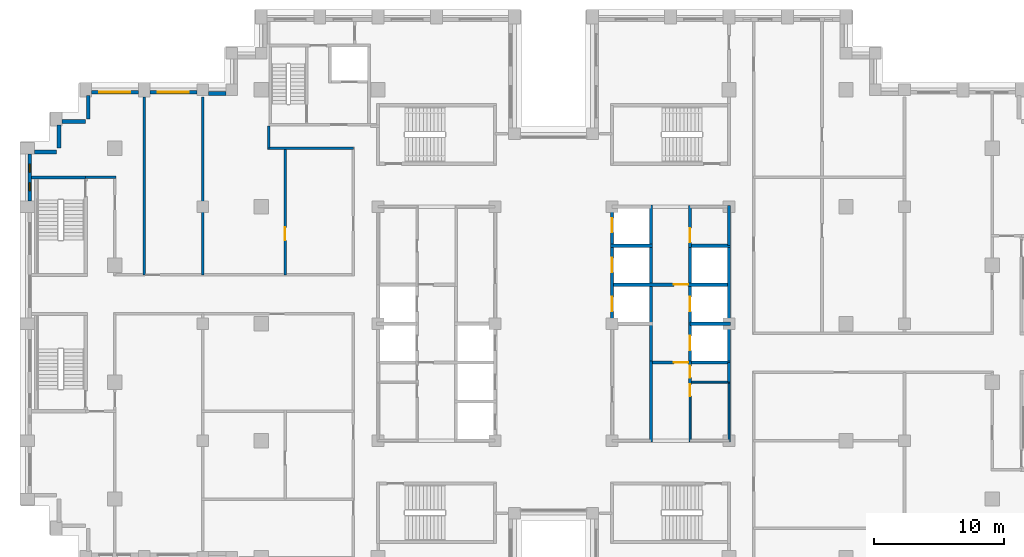
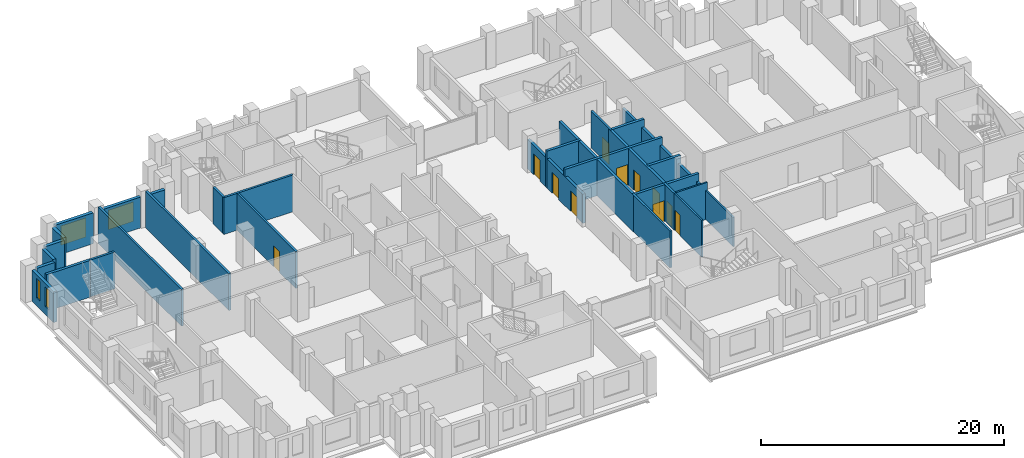
# One storey, part 9 of 15: 32 walls, 11 doors, 4 windows, 15 openings.
"""IFC4 building model written with IfcOpenShell, lengths in metres."""

from ifc_helpers import new_model, si_unit, direction, frame, frame_2d, origin, place, context, subcontext, project, spatial, rectangle, extrude, material, layer, layer_set, type_object, element, fill, save


model = new_model("IFC4")

# Units and contexts
model_context = context("Model", 3, precision=1e-05, world=origin(), true_north=direction((0.0, 1.0)))
body_context = subcontext(model_context, "Body", "Model", "MODEL_VIEW")
ifc_project = project(units=[si_unit("LENGTHUNIT", "METRE"), si_unit("AREAUNIT", "SQUARE_METRE"), si_unit("VOLUMEUNIT", "CUBIC_METRE"), si_unit("PLANEANGLEUNIT", "RADIAN"), si_unit("MASSUNIT", "GRAM", prefix="KILO")], contexts=[model_context])

# Site, building, storey
site_placement = place(None, origin())
site = spatial("IfcSite", under=ifc_project, at=site_placement, CompositionType="ELEMENT")
building_placement = place(site_placement, origin())
building = spatial("IfcBuilding", under=site, at=building_placement, Name="Corbelhall Arena Tower", CompositionType="ELEMENT")
storey_placement = place(building_placement, frame((0.0, 0.0, 162.0)))
storey = spatial("IfcBuildingStorey", under=building, at=storey_placement, Name="L32", CompositionType="ELEMENT", Elevation=162.0)

# Walls
ifc_material_1 = material(Name="Precast concrete C40/50 with granite facing", Category="masonry")
ifc_layer_1 = layer(ifc_material_1, 0.300048828125)
ifc_layer_set_1 = layer_set([ifc_layer_1], Name="EV-IW1 Infill panel 300")
wall_type_1 = type_object("IfcWallType", Name="EV-IW1 Infill panel 300", PredefinedType="SOLIDWALL", material=ifc_layer_set_1)
for number, where, z_axis, x_axis, name in (
    (1, (-35.800048828125, 17.550048828125, 0.0), (0.0, 0.0, 1.0), (0.0, -1.0, 0.0), "Infill panel IW1"),
    (2, (-37.800048828125, 15.550048828125, 0.0), (0.0, 0.0, 1.0), (1.0, 0.0, 0.0), "Infill panel IW1"),
    (3, (-38.050048828125, 15.300048828125, 0.0), (0.0, 0.0, 1.0), (0.0, -1.0, 0.0), "Infill panel IW1"),
):
    element("IfcWall", number, at=place(storey_placement, frame(where, z_axis=z_axis, x_axis=x_axis)), inside=storey, type_object=wall_type_1, Name=name, PredefinedType="SOLIDWALL", context=body_context, shape_type="SweptSolid", body=[
        extrude(rectangle(XDim=1.800048828125, YDim=0.300048828125, at=frame_2d((0.89990234375, 0.0))), origin(), (0.0, 0.0, 1.0), 3.10009765625),
    ])
wall_1_placement = place(storey_placement, frame((-39.949951171875, 13.199951171875, 0.0), z_axis=(0.0, 0.0, 1.0), x_axis=(1.0, 0.0, 0.0)))
element("IfcWall", 4, at=wall_1_placement, inside=storey, type_object=wall_type_1, Name="Infill panel IW1", PredefinedType="SOLIDWALL", context=body_context, shape_type="SweptSolid", body=[
    extrude(rectangle(XDim=1.699951171875, YDim=0.300048828125, at=frame_2d((0.85009765625, 0.0))), origin(), (0.0, 0.0, 1.0), 3.10009765625),
])
wall_2_placement = place(storey_placement, frame((-25.199951171875, 17.699951171875, 0.0), z_axis=(0.0, 0.0, 1.0), x_axis=(-1.0, 0.0, 0.0)))
element("IfcWall", 5, at=wall_2_placement, inside=storey, type_object=wall_type_1, Name="Infill panel IW1", PredefinedType="SOLIDWALL", context=body_context, shape_type="SweptSolid", body=[
    extrude(rectangle(XDim=1.35009765625, YDim=0.300048828125, at=frame_2d((0.675048828125, 0.0))), origin(), (0.0, 0.0, 1.0), 3.10009765625),
])

# Wall, opening, window
wall_3_placement = place(storey_placement, frame((-27.449951171875, 17.800048828125, 0.0), z_axis=(0.0, 0.0, 1.0), x_axis=(-1.0, 0.0, 0.0)))
wall_3 = element("IfcWall", 6, at=wall_3_placement, inside=storey, type_object=wall_type_1, Name="Infill panel IW1", PredefinedType="SOLIDWALL", context=body_context, shape_type="SweptSolid", body=[
    extrude(rectangle(XDim=3.60009765625, YDim=0.300048828125, at=frame_2d((1.800048828125, 0.0))), origin(), (0.0, 0.0, 1.0), 3.10009765625),
])
opening_1_placement = place(wall_3_placement, frame((0.60009765625, 0.0, 0.800048828125)))
opening_1 = element("IfcOpeningElement", 7, at=opening_1_placement, cuts=wall_3, Name="Opening WN1", PredefinedType="OPENING", context=body_context, shape_type="SweptSolid", body=[
    extrude(rectangle(XDim=2.39990234375, YDim=1.949951171875, at=frame_2d((1.199951171875, 0.97509765625))), frame((0.0, 0.14990234375, 0.0), z_axis=(0.0, -1.0, 0.0), x_axis=(1.0, 0.0, 0.0)), (0.0, 0.0, 1.0), 0.300048828125),
])
ifc_material_2 = material(Name="Aluminium black anodised", Category="aluminium")
window_type_1 = type_object("IfcWindowType", Name="EV-WN1 Office window", PartitioningType="SINGLE_PANEL", PredefinedType="WINDOW", material=ifc_material_2)
window_1_placement = place(opening_1_placement, origin())
window_1 = element("IfcWindow", 8, at=window_1_placement, inside=storey, type_object=window_type_1, Name="Window WN1", OverallHeight=1.949951171875, OverallWidth=2.39990234375, PartitioningType="SINGLE_PANEL", PredefinedType="WINDOW", context=body_context, shape_type="SweptSolid", body=[
    extrude(rectangle(XDim=2.39990234375, YDim=1.949951171875, at=frame_2d((1.199951171875, 0.97509765625))), frame((0.0, 0.030029296875, 0.0), z_axis=(0.0, -1.0, 0.0), x_axis=(1.0, 0.0, 0.0)), (0.0, 0.0, 1.0), 0.06005859375),
])
fill(opening_1, window_1)

wall_4_placement = place(storey_placement, frame((-31.949951171875, 17.800048828125, 0.0), z_axis=(0.0, 0.0, 1.0), x_axis=(-1.0, 0.0, 0.0)))
wall_4 = element("IfcWall", 9, at=wall_4_placement, inside=storey, type_object=wall_type_1, Name="Infill panel IW1", PredefinedType="SOLIDWALL", context=body_context, shape_type="SweptSolid", body=[
    extrude(rectangle(XDim=3.60009765625, YDim=0.300048828125, at=frame_2d((1.800048828125, 0.0))), origin(), (0.0, 0.0, 1.0), 3.10009765625),
])
opening_2_placement = place(wall_4_placement, frame((0.60009765625, 0.0, 0.800048828125)))
opening_2 = element("IfcOpeningElement", 10, at=opening_2_placement, cuts=wall_4, Name="Opening WN1", PredefinedType="OPENING", context=body_context, shape_type="SweptSolid", body=[
    extrude(rectangle(XDim=2.39990234375, YDim=1.949951171875, at=frame_2d((1.199951171875, 0.97509765625))), frame((0.0, 0.14990234375, 0.0), z_axis=(0.0, -1.0, 0.0), x_axis=(1.0, 0.0, 0.0)), (0.0, 0.0, 1.0), 0.300048828125),
])
window_2_placement = place(opening_2_placement, origin())
window_2 = element("IfcWindow", 11, at=window_2_placement, inside=storey, type_object=window_type_1, Name="Window WN1", OverallHeight=1.949951171875, OverallWidth=2.39990234375, PartitioningType="SINGLE_PANEL", PredefinedType="WINDOW", context=body_context, shape_type="SweptSolid", body=[
    extrude(rectangle(XDim=2.39990234375, YDim=1.949951171875, at=frame_2d((1.199951171875, 0.97509765625))), frame((0.0, 0.030029296875, 0.0), z_axis=(0.0, -1.0, 0.0), x_axis=(1.0, 0.0, 0.0)), (0.0, 0.0, 1.0), 0.06005859375),
])
fill(opening_2, window_2)

# Wall, openings, windows
wall_5_placement = place(storey_placement, frame((-40.300048828125, 13.050048828125, 0.0), z_axis=(0.0, 0.0, 1.0), x_axis=(0.0, -1.0, 0.0)))
wall_5 = element("IfcWall", 12, at=wall_5_placement, inside=storey, type_object=wall_type_1, Name="Infill panel IW1", PredefinedType="SOLIDWALL", context=body_context, shape_type="SweptSolid", body=[
    extrude(rectangle(XDim=3.60009765625, YDim=0.300048828125, at=frame_2d((1.800048828125, 0.0))), origin(), (0.0, 0.0, 1.0), 3.10009765625),
])
opening_3_placement = place(wall_5_placement, frame((0.78759765625, 0.0, 0.800048828125)))
opening_3 = element("IfcOpeningElement", 13, at=opening_3_placement, cuts=wall_5, Name="Opening WN5", PredefinedType="OPENING", context=body_context, shape_type="SweptSolid", body=[
    extrude(rectangle(XDim=0.60009765625, YDim=1.949951171875, at=frame_2d((0.300048828125, 0.97509765625))), frame((0.0, 0.14990234375, 0.0), z_axis=(0.0, -1.0, 0.0), x_axis=(1.0, 0.0, 0.0)), (0.0, 0.0, 1.0), 0.300048828125),
])
opening_4_placement = place(wall_5_placement, frame((2.21240234375, 0.0, 0.800048828125)))
opening_4 = element("IfcOpeningElement", 14, at=opening_4_placement, cuts=wall_5, Name="Opening WN5", PredefinedType="OPENING", context=body_context, shape_type="SweptSolid", body=[
    extrude(rectangle(XDim=0.60009765625, YDim=1.949951171875, at=frame_2d((0.300048828125, 0.97509765625))), frame((0.0, 0.14990234375, 0.0), z_axis=(0.0, -1.0, 0.0), x_axis=(1.0, 0.0, 0.0)), (0.0, 0.0, 1.0), 0.300048828125),
])
window_type_2 = type_object("IfcWindowType", Name="EV-WN5 Office window 600", PartitioningType="SINGLE_PANEL", PredefinedType="WINDOW", material=ifc_material_2)
window_3_placement = place(opening_3_placement, origin())
window_3 = element("IfcWindow", 15, at=window_3_placement, inside=storey, type_object=window_type_2, Name="Window WN5", OverallHeight=1.949951171875, OverallWidth=0.60009765625, PartitioningType="SINGLE_PANEL", PredefinedType="WINDOW", context=body_context, shape_type="SweptSolid", body=[
    extrude(rectangle(XDim=0.60009765625, YDim=1.949951171875, at=frame_2d((0.300048828125, 0.97509765625))), frame((0.0, 0.030029296875, 0.0), z_axis=(0.0, -1.0, 0.0), x_axis=(1.0, 0.0, 0.0)), (0.0, 0.0, 1.0), 0.06005859375),
])
fill(opening_3, window_3)
window_4_placement = place(opening_4_placement, origin())
window_4 = element("IfcWindow", 16, at=window_4_placement, inside=storey, type_object=window_type_2, Name="Window WN5", OverallHeight=1.949951171875, OverallWidth=0.60009765625, PartitioningType="SINGLE_PANEL", PredefinedType="WINDOW", context=body_context, shape_type="SweptSolid", body=[
    extrude(rectangle(XDim=0.60009765625, YDim=1.949951171875, at=frame_2d((0.300048828125, 0.97509765625))), frame((0.0, 0.030029296875, 0.0), z_axis=(0.0, -1.0, 0.0), x_axis=(1.0, 0.0, 0.0)), (0.0, 0.0, 1.0), 0.06005859375),
])
fill(opening_4, window_4)

# Walls
ifc_material_3 = material(Name="Gypsum board on steel stud, acoustic", Category="steel")
ifc_layer_2 = layer(ifc_material_3, 0.199951171875)
ifc_layer_set_2 = layer_set([ifc_layer_2], Name="IN-W-DM200")
wall_type_2 = type_object("IfcWallType", Name="IN-W-DM200", PredefinedType="PARTITIONING", material=ifc_layer_set_2)
wall_6_placement = place(storey_placement, frame((-36.0, 11.25, 0.0), z_axis=(0.0, 0.0, 1.0), x_axis=(1.0, 0.0, 0.0)))
element("IfcWall", 17, at=wall_6_placement, inside=storey, type_object=wall_type_2, Name="Partition 001", PredefinedType="PARTITIONING", context=body_context, shape_type="SweptSolid", body=[
    extrude(rectangle(XDim=2.35009765625, YDim=0.199951171875, at=frame_2d((1.175048828125, 0.0))), origin(), (0.0, 0.0, 1.0), 3.699951171875),
])
for number, where, z_axis, x_axis, name in (
    (18, (-31.5, 17.449951171875, 0.0), (0.0, 0.0, 1.0), (0.0, -1.0, 0.0), "Partition 006"),
    (19, (-27.0, 3.75, 0.0), (0.0, 0.0, 1.0), (0.0, 1.0, 0.0), "Partition 010"),
):
    element("IfcWall", number, at=place(storey_placement, frame(where, z_axis=z_axis, x_axis=x_axis)), inside=storey, type_object=wall_type_2, Name=name, PredefinedType="PARTITIONING", context=body_context, shape_type="SweptSolid", body=[
        extrude(rectangle(XDim=13.699951171875, YDim=0.199951171875, at=frame_2d((6.85009765625, 0.0))), origin(), (0.0, 0.0, 1.0), 3.699951171875),
    ])
wall_7_placement = place(storey_placement, frame((-21.89990234375, 13.5, 0.0), z_axis=(0.0, 0.0, 1.0), x_axis=(0.0, 1.0, 0.0)))
element("IfcWall", 20, at=wall_7_placement, inside=storey, type_object=wall_type_2, Name="Partition 013", PredefinedType="PARTITIONING", context=body_context, shape_type="SweptSolid", body=[
    extrude(rectangle(XDim=1.699951171875, YDim=0.199951171875, at=frame_2d((0.85009765625, 0.0))), origin(), (0.0, 0.0, 1.0), 3.699951171875),
])

# Wall, opening, door
wall_8_placement = place(storey_placement, frame((-20.64990234375, 3.75, 0.0), z_axis=(0.0, 0.0, 1.0), x_axis=(0.0, 1.0, 0.0)))
wall_8 = element("IfcWall", 21, at=wall_8_placement, inside=storey, type_object=wall_type_2, Name="Partition 016", PredefinedType="PARTITIONING", context=body_context, shape_type="SweptSolid", body=[
    extrude(rectangle(XDim=9.75, YDim=0.199951171875, at=frame_2d((4.875, 0.0))), origin(), (0.0, 0.0, 1.0), 3.699951171875),
])
opening_5_placement = place(wall_8_placement, frame((2.64990234375, 0.0, 0.0)))
opening_5 = element("IfcOpeningElement", 22, at=opening_5_placement, cuts=wall_8, Name="Opening 09025", PredefinedType="OPENING", context=body_context, shape_type="SweptSolid", body=[
    extrude(rectangle(XDim=1.0, YDim=2.10009765625, at=frame_2d((0.5, 1.050048828125))), frame((0.0, 0.10009765625, 0.0), z_axis=(0.0, -1.0, 0.0), x_axis=(1.0, 0.0, 0.0)), (0.0, 0.0, 1.0), 0.199951171875),
])
ifc_material_4 = material(Name="Steel door set", Category="steel")
door_type_1 = type_object("IfcDoorType", Name="IN-D-SW100", OperationType="NOTDEFINED", PredefinedType="DOOR", material=ifc_material_4)
door_1_placement = place(opening_5_placement, origin())
door_1 = element("IfcDoor", 23, at=door_1_placement, inside=storey, type_object=door_type_1, Name="Door 025", OperationType="SINGLE_SWING_RIGHT", OverallHeight=2.10009765625, OverallWidth=1.0, PredefinedType="DOOR", context=body_context, shape_type="SweptSolid", body=[
    extrude(rectangle(XDim=1.0, YDim=2.10009765625, at=frame_2d((0.5, 1.050048828125))), frame((0.0, 0.02490234375, 0.0), z_axis=(0.0, -1.0, 0.0), x_axis=(1.0, 0.0, 0.0)), (0.0, 0.0, 1.0), 0.050048828125),
])
fill(opening_5, door_1)

# Walls
wall_9_placement = place(storey_placement, frame((-15.39990234375, 13.5, 0.0), z_axis=(0.0, 0.0, 1.0), x_axis=(-1.0, 0.0, 0.0)))
element("IfcWall", 24, at=wall_9_placement, inside=storey, type_object=wall_type_2, Name="Partition 017", PredefinedType="PARTITIONING", context=body_context, shape_type="SweptSolid", body=[
    extrude(rectangle(XDim=6.60009765625, YDim=0.199951171875, at=frame_2d((3.300048828125, 0.0))), origin(), (0.0, 0.0, 1.0), 3.699951171875),
])
ifc_material_5 = material(Name="Concrete block wall", Category="concrete")
ifc_layer_3 = layer(ifc_material_5, 0.199951171875)
ifc_layer_set_3 = layer_set([ifc_layer_3], Name="IN-W-RS200")
wall_type_3 = type_object("IfcWallType", Name="IN-W-RS200", PredefinedType="SOLIDWALL", material=ifc_layer_set_3)
wall_10_placement = place(storey_placement, frame((7.5, -2.875, 0.0), z_axis=(0.0, 0.0, 1.0), x_axis=(0.0, -1.0, 0.0)))
element("IfcWall", 25, at=wall_10_placement, inside=storey, type_object=wall_type_3, Name="Partition 051", PredefinedType="SOLIDWALL", context=body_context, shape_type="SweptSolid", body=[
    extrude(rectangle(XDim=6.22509765625, YDim=0.199951171875, at=frame_2d((3.112548828125, 0.0))), origin(), (0.0, 0.0, 1.0), 3.699951171875),
])

# Wall, opening, door
wall_11_placement = place(storey_placement, frame((10.5, -2.875, 0.0), z_axis=(0.0, 0.0, 1.0), x_axis=(0.0, -1.0, 0.0)))
wall_11 = element("IfcWall", 26, at=wall_11_placement, inside=storey, type_object=wall_type_3, Name="Partition 052", PredefinedType="SOLIDWALL", context=body_context, shape_type="SweptSolid", body=[
    extrude(rectangle(XDim=1.699951171875, YDim=0.199951171875, at=frame_2d((0.85009765625, 0.0))), origin(), (0.0, 0.0, 1.0), 3.699951171875),
])
opening_6_placement = place(wall_11_placement, frame((0.3701171875, 0.0, 0.0)))
opening_6 = element("IfcOpeningElement", 27, at=opening_6_placement, cuts=wall_11, Name="Opening 09046", PredefinedType="OPENING", context=body_context, shape_type="SweptSolid", body=[
    extrude(rectangle(XDim=0.89990234375, YDim=2.10009765625, at=frame_2d((0.449951171875, 1.050048828125))), frame((0.0, 0.10009765625, 0.0), z_axis=(0.0, -1.0, 0.0), x_axis=(1.0, 0.0, 0.0)), (0.0, 0.0, 1.0), 0.199951171875),
])
ifc_material_6 = material(Name="Timber door set", Category="wood")
door_type_2 = type_object("IfcDoorType", Name="IN-D-SW90", OperationType="NOTDEFINED", PredefinedType="DOOR", material=ifc_material_6)
door_2_placement = place(opening_6_placement, origin())
door_2 = element("IfcDoor", 28, at=door_2_placement, inside=storey, type_object=door_type_2, Name="Door 046", OperationType="SINGLE_SWING_LEFT", OverallHeight=2.10009765625, OverallWidth=0.89990234375, PredefinedType="DOOR", context=body_context, shape_type="SweptSolid", body=[
    extrude(rectangle(XDim=0.89990234375, YDim=2.10009765625, at=frame_2d((0.449951171875, 1.050048828125))), frame((0.0, 0.02490234375, 0.0), z_axis=(0.0, -1.0, 0.0), x_axis=(1.0, 0.0, 0.0)), (0.0, 0.0, 1.0), 0.050048828125),
])
fill(opening_6, door_2)

wall_12_placement = place(storey_placement, frame((10.5, 9.10009765625, 0.0), z_axis=(0.0, 0.0, 1.0), x_axis=(0.0, -1.0, 0.0)))
wall_12 = element("IfcWall", 29, at=wall_12_placement, inside=storey, type_object=wall_type_3, Name="Partition 054", PredefinedType="SOLIDWALL", context=body_context, shape_type="SweptSolid", body=[
    extrude(rectangle(XDim=3.22509765625, YDim=0.199951171875, at=frame_2d((1.612548828125, 0.0))), origin(), (0.0, 0.0, 1.0), 3.699951171875),
])
opening_7_placement = place(wall_12_placement, frame((1.75, 0.0, 0.0)))
opening_7 = element("IfcOpeningElement", 30, at=opening_7_placement, cuts=wall_12, Name="Opening 09011", PredefinedType="OPENING", context=body_context, shape_type="SweptSolid", body=[
    extrude(rectangle(XDim=1.10009765625, YDim=2.10009765625, at=frame_2d((0.550048828125, 1.050048828125))), frame((0.0, 0.10009765625, 0.0), z_axis=(0.0, -1.0, 0.0), x_axis=(1.0, 0.0, 0.0)), (0.0, 0.0, 1.0), 0.199951171875),
])
door_type_3 = type_object("IfcDoorType", Name="IN-D-FD110", OperationType="NOTDEFINED", PredefinedType="DOOR", material=ifc_material_4)
door_3_placement = place(opening_7_placement, origin())
door_3 = element("IfcDoor", 31, at=door_3_placement, inside=storey, type_object=door_type_3, Name="Door 011", OperationType="SINGLE_SWING_RIGHT", OverallHeight=2.10009765625, OverallWidth=1.10009765625, PredefinedType="DOOR", context=body_context, shape_type="SweptSolid", body=[
    extrude(rectangle(XDim=1.10009765625, YDim=2.10009765625, at=frame_2d((0.550048828125, 1.050048828125))), frame((0.0, 0.02490234375, 0.0), z_axis=(0.0, -1.0, 0.0), x_axis=(1.0, 0.0, 0.0)), (0.0, 0.0, 1.0), 0.050048828125),
])
fill(opening_7, door_3)

# Walls
ifc_layer_4 = layer(ifc_material_5, 0.199951171875)
ifc_layer_set_4 = layer_set([ifc_layer_4], Name="IN-W-RS200 under beam 762 mm")
wall_type_4 = type_object("IfcWallType", Name="IN-W-RS200 under beam 762 mm", PredefinedType="SOLIDWALL", material=ifc_layer_set_4)
wall_13_placement = place(storey_placement, frame((13.5, -3.0, 0.0), z_axis=(0.0, 0.0, 1.0), x_axis=(0.0, -1.0, 0.0)))
element("IfcWall", 32, at=wall_13_placement, inside=storey, type_object=wall_type_4, Name="Partition 055", PredefinedType="SOLIDWALL", context=body_context, shape_type="SweptSolid", body=[
    extrude(rectangle(XDim=1.5, YDim=0.199951171875, at=frame_2d((0.75, 0.0))), origin(), (0.0, 0.0, 1.0), 2.93798828125),
])
wall_14_placement = place(storey_placement, frame((13.5, 9.10009765625, 0.0), z_axis=(0.0, 0.0, 1.0), x_axis=(0.0, -1.0, 0.0)))
element("IfcWall", 33, at=wall_14_placement, inside=storey, type_object=wall_type_4, Name="Partition 056", PredefinedType="SOLIDWALL", context=body_context, shape_type="SweptSolid", body=[
    extrude(rectangle(XDim=3.10009765625, YDim=0.199951171875, at=frame_2d((1.550048828125, 0.0))), origin(), (0.0, 0.0, 1.0), 2.93798828125),
])

# Wall, opening, door
ifc_material_7 = material(Name="Concrete C40/50", Category="concrete")
ifc_layer_5 = layer(ifc_material_7, 0.25)
ifc_layer_set_5 = layer_set([ifc_layer_5], Name="IN-W-SH250")
wall_type_5 = type_object("IfcWallType", Name="IN-W-SH250", PredefinedType="SOLIDWALL", material=ifc_layer_set_5)
wall_15_placement = place(storey_placement, frame((4.375, 3.0, 0.0), z_axis=(0.0, 0.0, 1.0), x_axis=(1.0, 0.0, 0.0)))
wall_15 = element("IfcWall", 34, at=wall_15_placement, inside=storey, type_object=wall_type_5, Name="Shaft wall 068", PredefinedType="SOLIDWALL", context=body_context, shape_type="SweptSolid", body=[
    extrude(rectangle(XDim=9.25, YDim=0.25, at=frame_2d((4.625, 0.0))), origin(), (0.0, 0.0, 1.0), 3.699951171875),
])
opening_8_placement = place(wall_15_placement, frame((4.875, 0.0, 0.0)))
opening_8 = element("IfcOpeningElement", 35, at=opening_8_placement, cuts=wall_15, Name="Opening 09009", PredefinedType="OPENING", context=body_context, shape_type="SweptSolid", body=[
    extrude(rectangle(XDim=1.10009765625, YDim=2.10009765625, at=frame_2d((0.550048828125, 1.050048828125))), frame((0.0, 0.125, 0.0), z_axis=(0.0, -1.0, 0.0), x_axis=(1.0, 0.0, 0.0)), (0.0, 0.0, 1.0), 0.25),
])
door_4_placement = place(opening_8_placement, origin())
door_4 = element("IfcDoor", 36, at=door_4_placement, inside=storey, type_object=door_type_3, Name="Door 009", OperationType="SINGLE_SWING_RIGHT", OverallHeight=2.10009765625, OverallWidth=1.10009765625, PredefinedType="DOOR", context=body_context, shape_type="SweptSolid", body=[
    extrude(rectangle(XDim=1.10009765625, YDim=2.10009765625, at=frame_2d((0.550048828125, 1.050048828125))), frame((0.0, 0.02490234375, 0.0), z_axis=(0.0, -1.0, 0.0), x_axis=(1.0, 0.0, 0.0)), (0.0, 0.0, 1.0), 0.050048828125),
])
fill(opening_8, door_4)

# Wall
wall_16_placement = place(storey_placement, frame((4.375, 6.0, 0.0), z_axis=(0.0, 0.0, 1.0), x_axis=(1.0, 0.0, 0.0)))
element("IfcWall", 37, at=wall_16_placement, inside=storey, type_object=wall_type_5, Name="Shaft wall 069", PredefinedType="SOLIDWALL", context=body_context, shape_type="SweptSolid", body=[
    extrude(rectangle(XDim=3.25, YDim=0.25, at=frame_2d((1.625, 0.0))), origin(), (0.0, 0.0, 1.0), 3.699951171875),
])

# Wall, opening, door
wall_17_placement = place(storey_placement, frame((7.5, -3.0, 0.0), z_axis=(0.0, 0.0, 1.0), x_axis=(1.0, 0.0, 0.0)))
wall_17 = element("IfcWall", 38, at=wall_17_placement, inside=storey, type_object=wall_type_5, Name="Shaft wall 072", PredefinedType="SOLIDWALL", context=body_context, shape_type="SweptSolid", body=[
    extrude(rectangle(XDim=6.125, YDim=0.25, at=frame_2d((3.0625, 0.0))), origin(), (0.0, 0.0, 1.0), 3.699951171875),
])
opening_9_placement = place(wall_17_placement, frame((1.75, 0.0, 0.0)))
opening_9 = element("IfcOpeningElement", 39, at=opening_9_placement, cuts=wall_17, Name="Opening 09008", PredefinedType="OPENING", context=body_context, shape_type="SweptSolid", body=[
    extrude(rectangle(XDim=1.10009765625, YDim=2.10009765625, at=frame_2d((0.550048828125, 1.050048828125))), frame((0.0, 0.125, 0.0), z_axis=(0.0, -1.0, 0.0), x_axis=(1.0, 0.0, 0.0)), (0.0, 0.0, 1.0), 0.25),
])
door_5_placement = place(opening_9_placement, origin())
door_5 = element("IfcDoor", 40, at=door_5_placement, inside=storey, type_object=door_type_3, Name="Door 008", OperationType="SINGLE_SWING_LEFT", OverallHeight=2.10009765625, OverallWidth=1.10009765625, PredefinedType="DOOR", context=body_context, shape_type="SweptSolid", body=[
    extrude(rectangle(XDim=1.10009765625, YDim=2.10009765625, at=frame_2d((0.550048828125, 1.050048828125))), frame((0.0, 0.02490234375, 0.0), z_axis=(0.0, -1.0, 0.0), x_axis=(1.0, 0.0, 0.0)), (0.0, 0.0, 1.0), 0.050048828125),
])
fill(opening_9, door_5)

# Walls
wall_18_placement = place(storey_placement, frame((7.5, 9.125, 0.0), z_axis=(0.0, 0.0, 1.0), x_axis=(0.0, -1.0, 0.0)))
element("IfcWall", 41, at=wall_18_placement, inside=storey, type_object=wall_type_5, Name="Shaft wall 073", PredefinedType="SOLIDWALL", context=body_context, shape_type="SweptSolid", body=[
    extrude(rectangle(XDim=12.25, YDim=0.25, at=frame_2d((6.125, 0.0))), origin(), (0.0, 0.0, 1.0), 3.699951171875),
])
wall_19_placement = place(storey_placement, frame((10.5, 0.0, 0.0), z_axis=(0.0, 0.0, 1.0), x_axis=(1.0, 0.0, 0.0)))
element("IfcWall", 42, at=wall_19_placement, inside=storey, type_object=wall_type_5, Name="Shaft wall 074", PredefinedType="SOLIDWALL", context=body_context, shape_type="SweptSolid", body=[
    extrude(rectangle(XDim=3.125, YDim=0.25, at=frame_2d((1.5625, 0.0))), origin(), (0.0, 0.0, 1.0), 3.699951171875),
])

# Wall, openings, doors
wall_20_placement = place(storey_placement, frame((10.5, 6.125, 0.0), z_axis=(0.0, 0.0, 1.0), x_axis=(0.0, -1.0, 0.0)))
wall_20 = element("IfcWall", 43, at=wall_20_placement, inside=storey, type_object=wall_type_5, Name="Shaft wall 075", PredefinedType="SOLIDWALL", context=body_context, shape_type="SweptSolid", body=[
    extrude(rectangle(XDim=9.25, YDim=0.25, at=frame_2d((4.625, 0.0))), origin(), (0.0, 0.0, 1.0), 3.699951171875),
])
opening_10_placement = place(wall_20_placement, frame((7.074951171875, 0.0, 0.0)))
opening_10 = element("IfcOpeningElement", 44, at=opening_10_placement, cuts=wall_20, Name="Opening LD", PredefinedType="OPENING", context=body_context, shape_type="SweptSolid", body=[
    extrude(rectangle(XDim=1.10009765625, YDim=2.10009765625, at=frame_2d((0.550048828125, 1.050048828125))), frame((0.0, 0.125, 0.0), z_axis=(0.0, -1.0, 0.0), x_axis=(1.0, 0.0, 0.0)), (0.0, 0.0, 1.0), 0.25),
])
opening_11_placement = place(wall_20_placement, frame((4.074951171875, 0.0, 0.0)))
opening_11 = element("IfcOpeningElement", 45, at=opening_11_placement, cuts=wall_20, Name="Opening LD", PredefinedType="OPENING", context=body_context, shape_type="SweptSolid", body=[
    extrude(rectangle(XDim=1.10009765625, YDim=2.10009765625, at=frame_2d((0.550048828125, 1.050048828125))), frame((0.0, 0.125, 0.0), z_axis=(0.0, -1.0, 0.0), x_axis=(1.0, 0.0, 0.0)), (0.0, 0.0, 1.0), 0.25),
])
door_type_4 = type_object("IfcDoorType", Name="IN-D-LD110", OperationType="NOTDEFINED", PredefinedType="DOOR", material=ifc_material_4)
door_6_placement = place(opening_10_placement, origin())
door_6 = element("IfcDoor", 46, at=door_6_placement, inside=storey, type_object=door_type_4, Name="Landing door E3", OperationType="SLIDING_TO_LEFT", OverallHeight=2.10009765625, OverallWidth=1.10009765625, PredefinedType="DOOR", context=body_context, shape_type="SweptSolid", body=[
    extrude(rectangle(XDim=1.10009765625, YDim=2.10009765625, at=frame_2d((0.550048828125, 1.050048828125))), frame((0.0, 0.02490234375, 0.0), z_axis=(0.0, -1.0, 0.0), x_axis=(1.0, 0.0, 0.0)), (0.0, 0.0, 1.0), 0.050048828125),
])
fill(opening_10, door_6)
door_7_placement = place(opening_11_placement, origin())
door_7 = element("IfcDoor", 47, at=door_7_placement, inside=storey, type_object=door_type_4, Name="Landing door E4", OperationType="SLIDING_TO_LEFT", OverallHeight=2.10009765625, OverallWidth=1.10009765625, PredefinedType="DOOR", context=body_context, shape_type="SweptSolid", body=[
    extrude(rectangle(XDim=1.10009765625, YDim=2.10009765625, at=frame_2d((0.550048828125, 1.050048828125))), frame((0.0, 0.02490234375, 0.0), z_axis=(0.0, -1.0, 0.0), x_axis=(1.0, 0.0, 0.0)), (0.0, 0.0, 1.0), 0.050048828125),
])
fill(opening_11, door_7)

# Wall
wall_21_placement = place(storey_placement, frame((10.5, 6.0, 0.0), z_axis=(0.0, 0.0, 1.0), x_axis=(1.0, 0.0, 0.0)))
element("IfcWall", 48, at=wall_21_placement, inside=storey, type_object=wall_type_5, Name="Shaft wall 076", PredefinedType="SOLIDWALL", context=body_context, shape_type="SweptSolid", body=[
    extrude(rectangle(XDim=3.125, YDim=0.25, at=frame_2d((1.5625, 0.0))), origin(), (0.0, 0.0, 1.0), 3.699951171875),
])

# Wall, openings, doors
ifc_layer_6 = layer(ifc_material_7, 0.25)
ifc_layer_set_6 = layer_set([ifc_layer_6], Name="IN-W-SH250 under beam 762 mm")
wall_type_6 = type_object("IfcWallType", Name="IN-W-SH250 under beam 762 mm", PredefinedType="SOLIDWALL", material=ifc_layer_set_6)
wall_22_placement = place(storey_placement, frame((4.5, 0.0, 0.0), z_axis=(0.0, 0.0, 1.0), x_axis=(0.0, 1.0, 0.0)))
wall_22 = element("IfcWall", 49, at=wall_22_placement, inside=storey, type_object=wall_type_6, Name="Shaft wall 070", PredefinedType="SOLIDWALL", context=body_context, shape_type="SweptSolid", body=[
    extrude(rectangle(XDim=9.125, YDim=0.25, at=frame_2d((4.5625, 0.0))), origin(), (0.0, 0.0, 1.0), 2.93798828125),
])
opening_12_placement = place(wall_22_placement, frame((0.949951171875, 0.0, 0.0)))
opening_12 = element("IfcOpeningElement", 50, at=opening_12_placement, cuts=wall_22, Name="Opening LD", PredefinedType="OPENING", context=body_context, shape_type="SweptSolid", body=[
    extrude(rectangle(XDim=1.10009765625, YDim=2.10009765625, at=frame_2d((0.550048828125, 1.050048828125))), frame((0.0, 0.125, 0.0), z_axis=(0.0, -1.0, 0.0), x_axis=(1.0, 0.0, 0.0)), (0.0, 0.0, 1.0), 0.25),
])
opening_13_placement = place(wall_22_placement, frame((3.949951171875, 0.0, 0.0)))
opening_13 = element("IfcOpeningElement", 51, at=opening_13_placement, cuts=wall_22, Name="Opening LD", PredefinedType="OPENING", context=body_context, shape_type="SweptSolid", body=[
    extrude(rectangle(XDim=1.10009765625, YDim=2.10009765625, at=frame_2d((0.550048828125, 1.050048828125))), frame((0.0, 0.125, 0.0), z_axis=(0.0, -1.0, 0.0), x_axis=(1.0, 0.0, 0.0)), (0.0, 0.0, 1.0), 0.25),
])
opening_14_placement = place(wall_22_placement, frame((7.012451171875, 0.0, 0.0)))
opening_14 = element("IfcOpeningElement", 52, at=opening_14_placement, cuts=wall_22, Name="Opening LD", PredefinedType="OPENING", context=body_context, shape_type="SweptSolid", body=[
    extrude(rectangle(XDim=1.10009765625, YDim=2.10009765625, at=frame_2d((0.550048828125, 1.050048828125))), frame((0.0, 0.125, 0.0), z_axis=(0.0, -1.0, 0.0), x_axis=(1.0, 0.0, 0.0)), (0.0, 0.0, 1.0), 0.25),
])
door_8_placement = place(opening_12_placement, origin())
door_8 = element("IfcDoor", 53, at=door_8_placement, inside=storey, type_object=door_type_4, Name="Landing door E4", OperationType="SLIDING_TO_LEFT", OverallHeight=2.10009765625, OverallWidth=1.10009765625, PredefinedType="DOOR", context=body_context, shape_type="SweptSolid", body=[
    extrude(rectangle(XDim=1.10009765625, YDim=2.10009765625, at=frame_2d((0.550048828125, 1.050048828125))), frame((0.0, 0.02490234375, 0.0), z_axis=(0.0, -1.0, 0.0), x_axis=(1.0, 0.0, 0.0)), (0.0, 0.0, 1.0), 0.050048828125),
])
fill(opening_12, door_8)
door_9_placement = place(opening_13_placement, origin())
door_9 = element("IfcDoor", 54, at=door_9_placement, inside=storey, type_object=door_type_4, Name="Landing door E5", OperationType="SLIDING_TO_LEFT", OverallHeight=2.10009765625, OverallWidth=1.10009765625, PredefinedType="DOOR", context=body_context, shape_type="SweptSolid", body=[
    extrude(rectangle(XDim=1.10009765625, YDim=2.10009765625, at=frame_2d((0.550048828125, 1.050048828125))), frame((0.0, 0.02490234375, 0.0), z_axis=(0.0, -1.0, 0.0), x_axis=(1.0, 0.0, 0.0)), (0.0, 0.0, 1.0), 0.050048828125),
])
fill(opening_13, door_9)
door_10_placement = place(opening_14_placement, origin())
door_10 = element("IfcDoor", 55, at=door_10_placement, inside=storey, type_object=door_type_4, Name="Landing door E6", OperationType="SLIDING_TO_LEFT", OverallHeight=2.10009765625, OverallWidth=1.10009765625, PredefinedType="DOOR", context=body_context, shape_type="SweptSolid", body=[
    extrude(rectangle(XDim=1.10009765625, YDim=2.10009765625, at=frame_2d((0.550048828125, 1.050048828125))), frame((0.0, 0.02490234375, 0.0), z_axis=(0.0, -1.0, 0.0), x_axis=(1.0, 0.0, 0.0)), (0.0, 0.0, 1.0), 0.050048828125),
])
fill(opening_14, door_10)

# Walls
wall_23_placement = place(storey_placement, frame((13.5, 6.0, 0.0), z_axis=(0.0, 0.0, 1.0), x_axis=(0.0, -1.0, 0.0)))
element("IfcWall", 56, at=wall_23_placement, inside=storey, type_object=wall_type_6, Name="Shaft wall 077", PredefinedType="SOLIDWALL", context=body_context, shape_type="SweptSolid", body=[
    extrude(rectangle(XDim=9.0, YDim=0.25, at=frame_2d((4.5, 0.0))), origin(), (0.0, 0.0, 1.0), 2.93798828125),
])
ifc_layer_7 = layer(ifc_material_7, 0.25)
ifc_layer_set_7 = layer_set([ifc_layer_7], Name="IN-W-ST250")
wall_type_7 = type_object("IfcWallType", Name="IN-W-ST250", PredefinedType="SOLIDWALL", material=ifc_layer_set_7)
wall_24_placement = place(storey_placement, frame((-40.14990234375, 11.25, 0.0), z_axis=(0.0, 0.0, 1.0), x_axis=(1.0, 0.0, 0.0)))
element("IfcWall", 57, at=wall_24_placement, inside=storey, type_object=wall_type_7, Name="Shaft wall 079", PredefinedType="SOLIDWALL", context=body_context, shape_type="SweptSolid", body=[
    extrude(rectangle(XDim=4.14990234375, YDim=0.25, at=frame_2d((2.074951171875, 0.0))), origin(), (0.0, 0.0, 1.0), 3.699951171875),
])
ifc_material_8 = material(Name="Gypsum board on steel stud, moisture resistant", Category="steel")
ifc_layer_8 = layer(ifc_material_8, 0.14990234375)
ifc_layer_set_8 = layer_set([ifc_layer_8], Name="IN-W-WC150")
wall_type_8 = type_object("IfcWallType", Name="IN-W-WC150", PredefinedType="PARTITIONING", material=ifc_layer_set_8)
wall_25_placement = place(storey_placement, frame((10.5, -4.5, 0.0), z_axis=(0.0, 0.0, 1.0), x_axis=(1.0, 0.0, 0.0)))
element("IfcWall", 58, at=wall_25_placement, inside=storey, type_object=wall_type_8, Name="Partition 113", PredefinedType="PARTITIONING", context=body_context, shape_type="SweptSolid", body=[
    extrude(rectangle(XDim=3.10009765625, YDim=0.14990234375, at=frame_2d((1.550048828125, 0.0))), origin(), (0.0, 0.0, 1.0), 3.699951171875),
])

# Wall, opening, door
wall_26_placement = place(storey_placement, frame((10.5, -4.425048828125, 0.0), z_axis=(0.0, 0.0, 1.0), x_axis=(0.0, -1.0, 0.0)))
wall_26 = element("IfcWall", 59, at=wall_26_placement, inside=storey, type_object=wall_type_8, Name="Partition 114", PredefinedType="PARTITIONING", context=body_context, shape_type="SweptSolid", body=[
    extrude(rectangle(XDim=4.64990234375, YDim=0.14990234375, at=frame_2d((2.324951171875, 0.0))), origin(), (0.0, 0.0, 1.0), 3.699951171875),
])
opening_15_placement = place(wall_26_placement, frame((0.25, 0.0, 0.0)))
opening_15 = element("IfcOpeningElement", 60, at=opening_15_placement, cuts=wall_26, Name="Opening 09010", PredefinedType="OPENING", context=body_context, shape_type="SweptSolid", body=[
    extrude(rectangle(XDim=0.89990234375, YDim=2.10009765625, at=frame_2d((0.449951171875, 1.050048828125))), frame((0.0, 0.074951171875, 0.0), z_axis=(0.0, -1.0, 0.0), x_axis=(1.0, 0.0, 0.0)), (0.0, 0.0, 1.0), 0.14990234375),
])
door_11_placement = place(opening_15_placement, origin())
door_11 = element("IfcDoor", 61, at=door_11_placement, inside=storey, type_object=door_type_2, Name="Door 010", OperationType="SINGLE_SWING_LEFT", OverallHeight=2.10009765625, OverallWidth=0.89990234375, PredefinedType="DOOR", context=body_context, shape_type="SweptSolid", body=[
    extrude(rectangle(XDim=0.89990234375, YDim=2.10009765625, at=frame_2d((0.449951171875, 1.050048828125))), frame((0.0, 0.02490234375, 0.0), z_axis=(0.0, -1.0, 0.0), x_axis=(1.0, 0.0, 0.0)), (0.0, 0.0, 1.0), 0.050048828125),
])
fill(opening_15, door_11)

# Wall
ifc_layer_9 = layer(ifc_material_8, 0.14990234375)
ifc_layer_set_9 = layer_set([ifc_layer_9], Name="IN-W-WC150 under beam 762 mm")
wall_type_9 = type_object("IfcWallType", Name="IN-W-WC150 under beam 762 mm", PredefinedType="PARTITIONING", material=ifc_layer_set_9)
wall_27_placement = place(storey_placement, frame((13.5, -4.5, 0.0), z_axis=(0.0, 0.0, 1.0), x_axis=(0.0, -1.0, 0.0)))
element("IfcWall", 62, at=wall_27_placement, inside=storey, type_object=wall_type_9, Name="Partition 116", PredefinedType="PARTITIONING", context=body_context, shape_type="SweptSolid", body=[
    extrude(rectangle(XDim=4.574951171875, YDim=0.14990234375, at=frame_2d((2.28759765625, 0.0))), origin(), (0.0, 0.0, 1.0), 2.93798828125),
])

save(model, "model.ifc")
